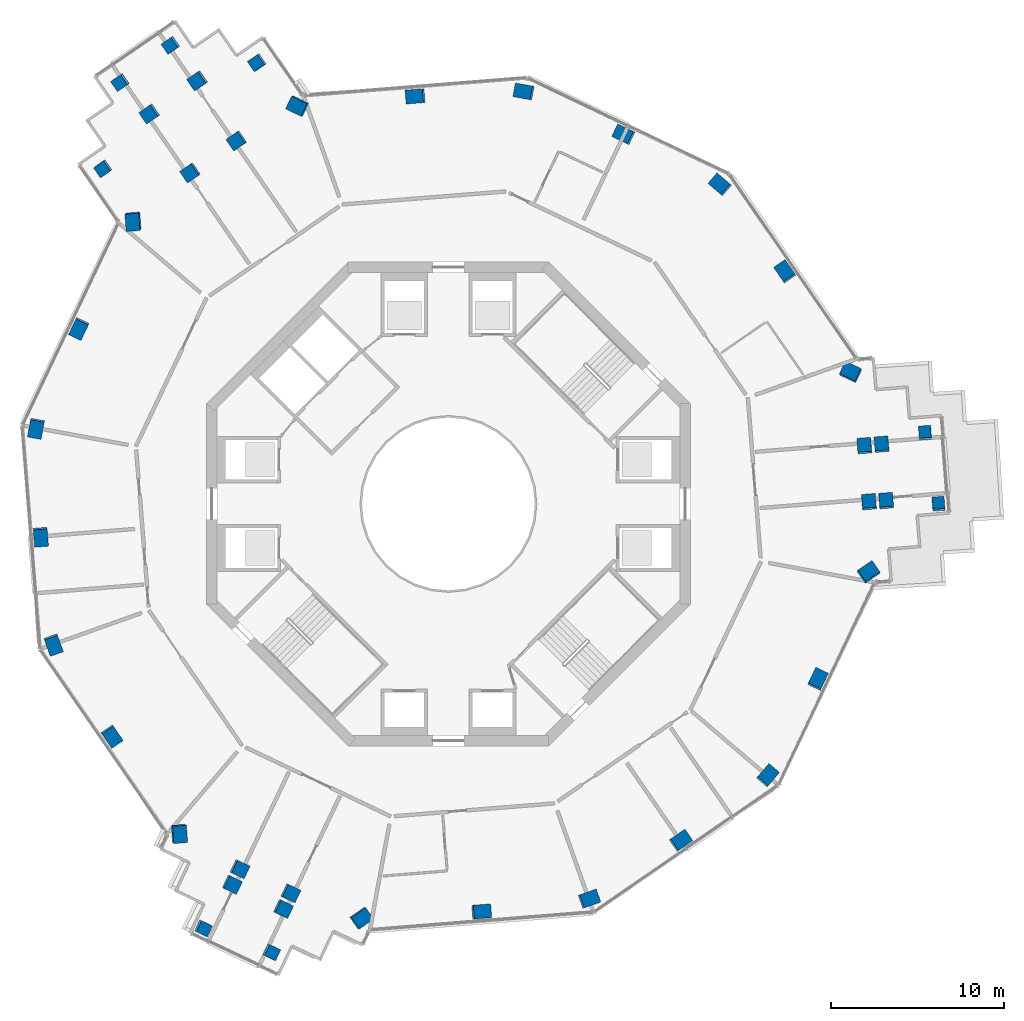
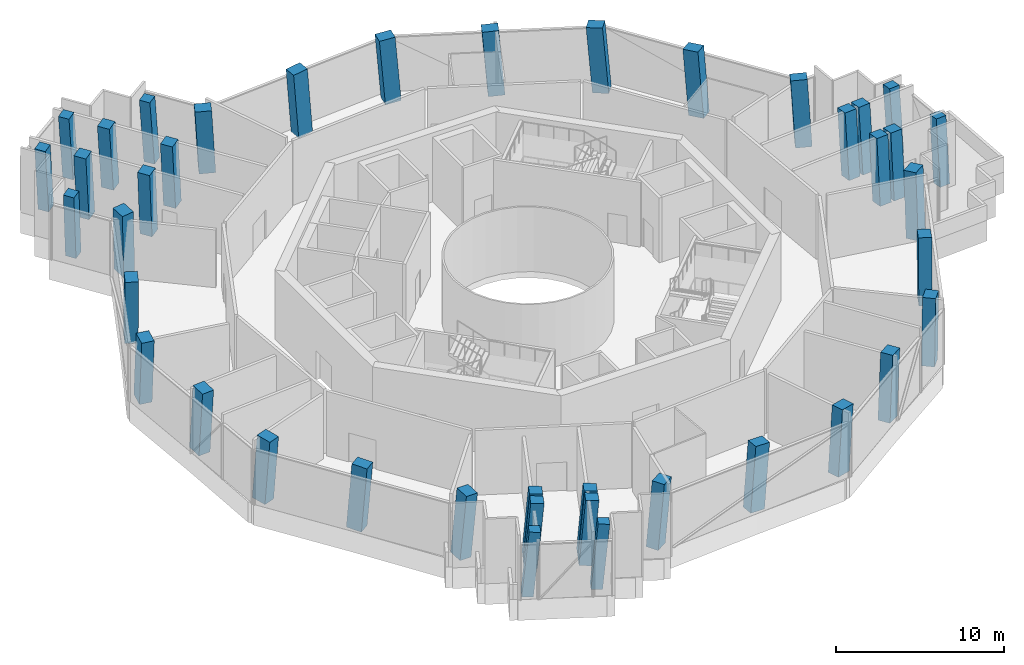
# One storey, part 1 of 21: 41 columns.
"""IFC4 building model written with IfcOpenShell, lengths in metres."""

import ifcopenshell
import ifcopenshell.guid

model = None  # the IFC model being written
_history = None  # IfcOwnerHistory: only IFC2X3 demands one
_inside = {}  # id of a spatial element -> (the spatial element, [elements in it])
_under = {}  # id of a project, library or spatial element -> (it, [spatial elements below it])
_declared = {}  # id of a project -> (the project, [libraries it declares])
_typed = {}  # id of a type object -> (the type object, [elements of that type])
_made_of = {}  # id of a material, layer set ... -> (it, [elements and type objects made of it])


def new_model(schema):
    """Start an empty IFC model of exactly this schema.

    Asked for "IFC4X3", IfcOpenShell would pick the latest addendum, in which some entities
    have other attributes; the version numbers below select the first issue.
    IFC2X3 requires an IfcOwnerHistory on every rooted entity: one is made here for all.
    """
    global model, _history
    if schema == "IFC4X3":
        model = ifcopenshell.file(schema_version=(4, 3, 0, 0))
    else:
        model = ifcopenshell.file(schema=schema)
    _inside.clear()
    _under.clear()
    _declared.clear()
    _typed.clear()
    _made_of.clear()
    _history = None
    if model.schema == "IFC2X3":
        org = make("IfcOrganization", Name="unknown")
        user = make(
            "IfcPersonAndOrganization",
            ThePerson=make("IfcPerson", FamilyName="unknown"),
            TheOrganization=org,
        )
        app = make(
            "IfcApplication",
            ApplicationDeveloper=org,
            Version="unknown",
            ApplicationFullName="unknown",
            ApplicationIdentifier="unknown",
        )
        _history = make(
            "IfcOwnerHistory",
            OwningUser=user,
            OwningApplication=app,
            ChangeAction="ADDED",
            CreationDate=0,
        )
    return model


def make(cls, **values):
    """One entity of the class cls with the attributes given. An attribute that is None is left unset."""
    return model.create_entity(
        cls, **{name: value for name, value in values.items() if value is not None}
    )


def rooted(cls, **values):
    """An entity with a GlobalId (a new one), such as an element, a storey or a relation."""
    return make(cls, GlobalId=ifcopenshell.guid.new(), OwnerHistory=_history, **values)


def si_unit(unit_type, name, prefix=None):
    """IfcSIUnit, for example si_unit("LENGTHUNIT", "METRE", prefix="MILLI")."""
    return make("IfcSIUnit", UnitType=unit_type, Prefix=prefix, Name=name)


def assignment(units):
    """IfcUnitAssignment: the units of a project."""
    return None if units is None else make("IfcUnitAssignment", Units=units)


def point(xyz):
    """IfcCartesianPoint."""
    return None if xyz is None else make("IfcCartesianPoint", Coordinates=xyz)


def direction(xyz):
    """IfcDirection."""
    return None if xyz is None else make("IfcDirection", DirectionRatios=xyz)


def frame(location, z_axis=None, x_axis=None):
    """IfcAxis2Placement3D, a coordinate frame: its origin and axes. An axis left out is left unset."""
    return make(
        "IfcAxis2Placement3D",
        Location=point(location),
        Axis=direction(z_axis),
        RefDirection=direction(x_axis),
    )


def frame_2d(location, x_axis=None):
    """IfcAxis2Placement2D, a coordinate frame in the plane: its origin and x axis."""
    return make(
        "IfcAxis2Placement2D", Location=point(location), RefDirection=direction(x_axis)
    )


def origin():
    """The frame at (0, 0, 0) with its axes left unset."""
    return frame((0.0, 0.0, 0.0))


def origin_2d():
    """The frame at (0, 0) in the plane with its x axis left unset."""
    return frame_2d((0.0, 0.0))


def place(relative_to, where):
    """IfcLocalPlacement: puts the frame where relative to a parent placement (None: the world)."""
    return make(
        "IfcLocalPlacement", PlacementRelTo=relative_to, RelativePlacement=where
    )


def context(
    kind, dimensions, precision=None, world=None, true_north=None, identifier=None
):
    """IfcGeometricRepresentationContext, for example the 3D "Model" context."""
    return make(
        "IfcGeometricRepresentationContext",
        ContextIdentifier=identifier,
        ContextType=kind,
        CoordinateSpaceDimension=dimensions,
        Precision=precision,
        WorldCoordinateSystem=world,
        TrueNorth=true_north,
    )


def subcontext(parent, identifier, kind, view, scale=None):
    """IfcGeometricRepresentationSubContext, for example "Body" below "Model"."""
    return make(
        "IfcGeometricRepresentationSubContext",
        ContextIdentifier=identifier,
        ContextType=kind,
        ParentContext=parent,
        TargetScale=scale,
        TargetView=view,
    )


def project(units=None, contexts=None):
    """IfcProject with its units and contexts."""
    return rooted(
        "IfcProject",
        Name="project",
        RepresentationContexts=contexts,
        UnitsInContext=assignment(units),
    )


def spatial(cls, under=None, at=None, **own):
    """A site, building, storey or space (cls), placed at a placement, below another one or the project."""
    s = rooted(cls, ObjectPlacement=at, **own)
    if under is not None:
        _under.setdefault(under.id(), (under, []))[1].append(s)
    return s


def profile(cls, at=None, kind="AREA", **sizes):
    """A parametric profile (cls). Its sizes go by their IFC names, for example OverallWidth=200.0."""
    return make(cls, ProfileType=kind, Position=at, **sizes)


def rectangle(**sizes):
    """IfcRectangleProfileDef."""
    return profile("IfcRectangleProfileDef", **sizes)


def extrude(swept, where, along, depth):
    """IfcExtrudedAreaSolid: the profile swept, set in the frame where, extruded along a direction by depth."""
    return make(
        "IfcExtrudedAreaSolid",
        SweptArea=swept,
        Position=where,
        ExtrudedDirection=direction(along),
        Depth=depth,
    )


def shape(context_of_items, identifier, shape_type, items):
    """IfcShapeRepresentation: the items that make up one representation, for example the "Body"."""
    return make(
        "IfcShapeRepresentation",
        ContextOfItems=context_of_items,
        RepresentationIdentifier=identifier,
        RepresentationType=shape_type,
        Items=items,
    )


def material(Name=None, Category=None):
    """IfcMaterial."""
    return make("IfcMaterial", Name=Name, Category=Category)


def material_profile(
    of_material, cross_section, Name=None, Category=None, Priority=None
):
    """IfcMaterialProfile: a cross section and its material."""
    return make(
        "IfcMaterialProfile",
        Name=Name,
        Material=of_material,
        Profile=cross_section,
        Priority=Priority,
        Category=Category,
    )


def profile_set(profiles, Name=None, composite=None):
    """IfcMaterialProfileSet."""
    return make(
        "IfcMaterialProfileSet",
        Name=Name,
        MaterialProfiles=profiles,
        CompositeProfile=composite,
    )


def made_of(thing, what):
    """Note that an element or type object is made of a material, layer set ...; save() writes the relation."""
    if what is not None:
        _made_of.setdefault(what.id(), (what, []))[1].append(thing)
    return thing


def type_object(cls, material=None, **own):
    """A type object (cls), such as IfcWallType, which elements share."""
    return made_of(rooted(cls, **own), material)


def element(
    cls,
    number,
    at=None,
    inside=None,
    cuts=None,
    type_object=None,
    material=None,
    context=None,
    identifier="Body",
    shape_type=None,
    held_by="IfcProductDefinitionShape",
    body=None,
    shapes=None,
    **own,
):
    """One element of the class cls, such as IfcWall. Its Tag is "e" and its number.

    at: its placement. inside: the storey or other place that contains it. cuts: it is an
    opening in that element (IfcRelVoidsElement). A single representation is given by context,
    identifier, shape_type and body (its items); several are given by shapes. held_by: the class
    of the entity that holds the representations. save() writes the other relations.
    """
    e = rooted(cls, Tag="e%d" % number, ObjectPlacement=at, **own)
    if body is not None:
        shapes = [shape(context, identifier, shape_type, body)]
    if shapes is not None:
        e.Representation = make(held_by, Representations=shapes)
    if inside is not None:
        _inside.setdefault(inside.id(), (inside, []))[1].append(e)
    if cuts is not None:
        rooted(
            "IfcRelVoidsElement", RelatingBuildingElement=cuts, RelatedOpeningElement=e
        )
    if type_object is not None:
        _typed.setdefault(type_object.id(), (type_object, []))[1].append(e)
    return made_of(e, material)


def aggregate(whole, parts):
    """IfcRelAggregates: a whole, such as a stair, and the parts it consists of."""
    return rooted("IfcRelAggregates", RelatingObject=whole, RelatedObjects=parts)


def save(model, path):
    """Write the relations noted so far, then the file.

    IfcRelAggregates (storeys below a building ...), IfcRelContainedInSpatialStructure (elements
    in a storey), IfcRelDefinesByType, IfcRelAssociatesMaterial and IfcRelDeclares: one each for
    every whole, place, type object, material and project.
    """
    for whole, parts in _under.values():
        aggregate(whole, parts)
    for where, things in _inside.values():
        rooted(
            "IfcRelContainedInSpatialStructure",
            RelatedElements=things,
            RelatingStructure=where,
        )
    for kind, things in _typed.values():
        rooted("IfcRelDefinesByType", RelatedObjects=things, RelatingType=kind)
    for what, things in _made_of.values():
        rooted("IfcRelAssociatesMaterial", RelatedObjects=things, RelatingMaterial=what)
    for by, libraries in _declared.values():
        rooted("IfcRelDeclares", RelatingContext=by, RelatedDefinitions=libraries)
    model.write(path)


model = new_model("IFC4")

# Units and contexts
model_context = context("Model", 3, precision=1e-05, world=origin(), true_north=direction((0.0, 1.0)))
body_context = subcontext(model_context, "Body", "Model", "MODEL_VIEW")
ifc_project = project(units=[si_unit("LENGTHUNIT", "METRE"), si_unit("AREAUNIT", "SQUARE_METRE"), si_unit("VOLUMEUNIT", "CUBIC_METRE"), si_unit("PLANEANGLEUNIT", "RADIAN"), si_unit("MASSUNIT", "GRAM", prefix="KILO")], contexts=[model_context])

# Site, building, storey
site_placement = place(None, origin())
site = spatial("IfcSite", under=ifc_project, at=site_placement, CompositionType="ELEMENT")
building_placement = place(site_placement, origin())
building = spatial("IfcBuilding", under=site, at=building_placement, Name="Verdalira Terraces Hotel", CompositionType="ELEMENT")
storey_placement = place(building_placement, frame((0.0, 0.0, 175.0)))
storey = spatial("IfcBuildingStorey", under=building, at=storey_placement, Name="L42", CompositionType="ELEMENT", Elevation=175.0)

# Columns
ifc_material_1 = material(Name="Concrete C60", Category="concrete")
ifc_material_profile_1 = material_profile(ifc_material_1, rectangle(XDim=1.0, YDim=0.800049, at=origin_2d()), Name="RC 1000X800")
ifc_profile_set_1 = profile_set([ifc_material_profile_1], Name="Concrete C60")
column_type_1 = type_object("IfcColumnType", Name="Column RC 1000X800 C60", PredefinedType="COLUMN", material=ifc_profile_set_1)
column_1_placement = place(storey_placement, frame((-18.216064, 16.361816, 0.0), z_axis=(-0.054164651, -0.061272464, 0.996650328), x_axis=(-0.082257705, 0.994996853, 0.056700377)))
element("IfcColumn", 1, at=column_1_placement, inside=storey, type_object=column_type_1, Name="Column C03", PredefinedType="COLUMN", context=body_context, shape_type="SweptSolid", body=[
    extrude(rectangle(XDim=1.0, YDim=0.800049, at=origin_2d()), origin(), (0.0, 0.0, 1.0), 4.705811),
])
column_2_placement = place(storey_placement, frame((-21.364258, 10.162842, 0.0), z_axis=(-0.033367399, -0.071664662, 0.9968705), x_axis=(-0.428377245, -0.90013564, -0.079049135)))
element("IfcColumn", 2, at=column_2_placement, inside=storey, type_object=column_type_1, Name="Column C04", PredefinedType="COLUMN", context=body_context, shape_type="SweptSolid", body=[
    extrude(rectangle(XDim=1.0, YDim=0.800049, at=origin_2d()), origin(), (0.0, 0.0, 1.0), 4.70459),
])
column_3_placement = place(storey_placement, frame((-23.853271, 4.39502, 0.0), z_axis=(-0.014009031, -0.079747708, 0.996716635), x_axis=(0.180722075, 0.980195922, 0.08096596)))
element("IfcColumn", 3, at=column_3_placement, inside=storey, type_object=column_type_1, Name="Column C05", PredefinedType="COLUMN", context=body_context, shape_type="SweptSolid", body=[
    extrude(rectangle(XDim=1.0, YDim=0.800049, at=origin_2d()), origin(), (0.0, 0.0, 1.0), 4.705322),
])
column_4_placement = place(storey_placement, frame((-23.583496, -1.880859, 0.0), z_axis=(0.006953716, -0.078722297, 0.996872332), x_axis=(0.079340262, -0.993710224, -0.079026028)))
element("IfcColumn", 4, at=column_4_placement, inside=storey, type_object=column_type_1, Name="Column C06", PredefinedType="COLUMN", context=body_context, shape_type="SweptSolid", body=[
    extrude(rectangle(XDim=1.0, YDim=0.800049, at=origin_2d()), origin(), (0.0, 0.0, 1.0), 4.70459),
])
column_5_placement = place(storey_placement, frame((-22.85498, -8.120361, 0.0), z_axis=(0.027706677, -0.076115534, 0.996713984), x_axis=(-0.333017196, 0.93943535, 0.080998586)))
element("IfcColumn", 5, at=column_5_placement, inside=storey, type_object=column_type_1, Name="Column C07", PredefinedType="COLUMN", context=body_context, shape_type="SweptSolid", body=[
    extrude(rectangle(XDim=1.0, YDim=0.800049, at=origin_2d()), origin(), (0.0, 0.0, 1.0), 4.705322),
])
column_6_placement = place(storey_placement, frame((-19.483398, -13.420654, 0.0), z_axis=(0.045354859, -0.064711109, 0.996872815), x_axis=(0.565250312, -0.821126017, -0.079019933)))
element("IfcColumn", 6, at=column_6_placement, inside=storey, type_object=column_type_1, Name="Column C08", PredefinedType="COLUMN", context=body_context, shape_type="SweptSolid", body=[
    extrude(rectangle(XDim=1.0, YDim=0.800049, at=origin_2d()), origin(), (0.0, 0.0, 1.0), 4.70459),
])
for number, where, z_axis, x_axis, name in (
    (7, (-15.599609, -19.058838, 0.0), (0.064071621, -0.051568576, 0.996612015), (-0.075850249, 0.995523512, 0.056388622), "Column C09"),
    (8, (-5.061768, -23.956543, 0.0), (0.080157425, -0.016239012, 0.996649929), (-0.820324342, -0.569080539, 0.056703743), "Column C12"),
):
    element("IfcColumn", number, at=place(storey_placement, frame(where, z_axis=z_axis, x_axis=x_axis)), inside=storey, type_object=column_type_1, Name=name, PredefinedType="COLUMN", context=body_context, shape_type="SweptSolid", body=[
        extrude(rectangle(XDim=1.0, YDim=0.800049, at=origin_2d()), origin(), (0.0, 0.0, 1.0), 4.705811),
    ])
column_7_placement = place(storey_placement, frame((1.880859, -23.583496, 0.0), z_axis=(0.078722297, 0.006953716, 0.996872332), x_axis=(0.993710224, 0.079340262, -0.079026028)))
element("IfcColumn", 9, at=column_7_placement, inside=storey, type_object=column_type_1, Name="Column C13", PredefinedType="COLUMN", context=body_context, shape_type="SweptSolid", body=[
    extrude(rectangle(XDim=1.0, YDim=0.800049, at=origin_2d()), origin(), (0.0, 0.0, 1.0), 4.70459),
])
column_8_placement = place(storey_placement, frame((8.120361, -22.85498, 0.0), z_axis=(0.076115534, 0.027706677, 0.996713984), x_axis=(-0.93943535, -0.333017196, 0.080998586)))
element("IfcColumn", 10, at=column_8_placement, inside=storey, type_object=column_type_1, Name="Column C14", PredefinedType="COLUMN", context=body_context, shape_type="SweptSolid", body=[
    extrude(rectangle(XDim=1.0, YDim=0.800049, at=origin_2d()), origin(), (0.0, 0.0, 1.0), 4.705322),
])
column_9_placement = place(storey_placement, frame((13.420654, -19.483398, 0.0), z_axis=(0.064711109, 0.045354859, 0.996872815), x_axis=(0.821126017, 0.565250312, -0.079019933)))
element("IfcColumn", 11, at=column_9_placement, inside=storey, type_object=column_type_1, Name="Column C15", PredefinedType="COLUMN", context=body_context, shape_type="SweptSolid", body=[
    extrude(rectangle(XDim=1.0, YDim=0.800049, at=origin_2d()), origin(), (0.0, 0.0, 1.0), 4.70459),
])
column_10_placement = place(storey_placement, frame((18.459961, -15.73291, 0.0), z_axis=(0.052040708, 0.062106409, 0.996711873), x_axis=(-0.646568718, -0.758540649, 0.081024549)))
element("IfcColumn", 12, at=column_10_placement, inside=storey, type_object=column_type_1, Name="Column C16", PredefinedType="COLUMN", context=body_context, shape_type="SweptSolid", body=[
    extrude(rectangle(XDim=1.0, YDim=0.800049, at=origin_2d()), origin(), (0.0, 0.0, 1.0), 4.705322),
])
column_11_placement = place(storey_placement, frame((21.364258, -10.162842, 0.0), z_axis=(0.033367399, 0.071664662, 0.9968705), x_axis=(0.428377245, 0.90013564, -0.079049135)))
element("IfcColumn", 13, at=column_11_placement, inside=storey, type_object=column_type_1, Name="Column C17", PredefinedType="COLUMN", context=body_context, shape_type="SweptSolid", body=[
    extrude(rectangle(XDim=1.0, YDim=0.800049, at=origin_2d()), origin(), (0.0, 0.0, 1.0), 4.70459),
])
for number, where, z_axis, x_axis, name in (
    (14, (24.30542, -3.980225, 0.0), (0.012554964, 0.081244109, 0.996615155), (-0.823786098, -0.564091951, 0.056362532), "Column C18"),
    (15, (23.277832, 7.594727, 0.0), (-0.025992865, 0.077511656, 0.996652554), (0.902933505, -0.426026157, 0.05668156), "Column C21"),
):
    element("IfcColumn", number, at=place(storey_placement, frame(where, z_axis=z_axis, x_axis=x_axis)), inside=storey, type_object=column_type_1, Name=name, PredefinedType="COLUMN", context=body_context, shape_type="SweptSolid", body=[
        extrude(rectangle(XDim=1.0, YDim=0.800049, at=origin_2d()), origin(), (0.0, 0.0, 1.0), 4.705811),
    ])
column_12_placement = place(storey_placement, frame((19.483398, 13.420654, 0.0), z_axis=(-0.045354859, 0.064711109, 0.996872815), x_axis=(-0.565250312, 0.821126017, -0.079019933)))
element("IfcColumn", 16, at=column_12_placement, inside=storey, type_object=column_type_1, Name="Column C22", PredefinedType="COLUMN", context=body_context, shape_type="SweptSolid", body=[
    extrude(rectangle(XDim=1.0, YDim=0.800049, at=origin_2d()), origin(), (0.0, 0.0, 1.0), 4.70459),
])
column_13_placement = place(storey_placement, frame((15.73291, 18.459961, 0.0), z_axis=(-0.062106409, 0.052040708, 0.996711873), x_axis=(0.758540649, -0.646568718, 0.081024549)))
element("IfcColumn", 17, at=column_13_placement, inside=storey, type_object=column_type_1, Name="Column C23", PredefinedType="COLUMN", context=body_context, shape_type="SweptSolid", body=[
    extrude(rectangle(XDim=1.0, YDim=0.800049, at=origin_2d()), origin(), (0.0, 0.0, 1.0), 4.705322),
])
column_14_placement = place(storey_placement, frame((10.162842, 21.364258, 0.0), z_axis=(-0.071664662, 0.033367399, 0.9968705), x_axis=(-0.90013564, 0.428377245, -0.079049135)))
element("IfcColumn", 18, at=column_14_placement, inside=storey, type_object=column_type_1, Name="Column C24", PredefinedType="COLUMN", context=body_context, shape_type="SweptSolid", body=[
    extrude(rectangle(XDim=1.0, YDim=0.800049, at=origin_2d()), origin(), (0.0, 0.0, 1.0), 4.70459),
])
column_15_placement = place(storey_placement, frame((4.39502, 23.853271, 0.0), z_axis=(-0.079747708, 0.014009031, 0.996716635), x_axis=(0.980195922, -0.180722075, 0.08096596)))
element("IfcColumn", 19, at=column_15_placement, inside=storey, type_object=column_type_1, Name="Column C25", PredefinedType="COLUMN", context=body_context, shape_type="SweptSolid", body=[
    extrude(rectangle(XDim=1.0, YDim=0.800049, at=origin_2d()), origin(), (0.0, 0.0, 1.0), 4.705322),
])
column_16_placement = place(storey_placement, frame((-1.880859, 23.583496, 0.0), z_axis=(-0.078722297, -0.006953716, 0.996872332), x_axis=(-0.993710224, -0.079340262, -0.079026028)))
element("IfcColumn", 20, at=column_16_placement, inside=storey, type_object=column_type_1, Name="Column C26", PredefinedType="COLUMN", context=body_context, shape_type="SweptSolid", body=[
    extrude(rectangle(XDim=1.0, YDim=0.800049, at=origin_2d()), origin(), (0.0, 0.0, 1.0), 4.70459),
])
column_17_placement = place(storey_placement, frame((-8.705566, 23.039062, 0.0), z_axis=(-0.076730165, -0.029675223, 0.996610186), x_axis=(0.899868949, -0.432497958, 0.056403818)))
element("IfcColumn", 21, at=column_17_placement, inside=storey, type_object=column_type_1, Name="Column C27", PredefinedType="COLUMN", context=body_context, shape_type="SweptSolid", body=[
    extrude(rectangle(XDim=1.0, YDim=0.800049, at=origin_2d()), origin(), (0.0, 0.0, 1.0), 4.705811),
])
ifc_material_2 = material(Name="Concrete C60", Category="concrete")
ifc_material_profile_2 = material_profile(ifc_material_2, rectangle(XDim=0.699951, YDim=0.699951, at=origin_2d()), Name="RC 700X700")
ifc_profile_set_2 = profile_set([ifc_material_profile_2], Name="Concrete C60")
column_type_2 = type_object("IfcColumnType", Name="Column RC 700X700 C60", PredefinedType="COLUMN", material=ifc_profile_set_2)
column_18_placement = place(storey_placement, frame((-11.039307, 25.545654, 0.0), z_axis=(-0.0876898, -0.033635154, 0.995579819), x_axis=(-0.565590663, 0.824393559, -0.021965017)))
element("IfcColumn", 22, at=column_18_placement, inside=storey, type_object=column_type_2, Name="Column C01", PredefinedType="COLUMN", context=body_context, shape_type="SweptSolid", body=[
    extrude(rectangle(XDim=0.699951, YDim=0.699951, at=origin_2d()), origin(), (0.0, 0.0, 1.0), 4.710693),
])
column_19_placement = place(storey_placement, frame((-19.961182, 19.424316, 0.0), z_axis=(-0.067073924, -0.063238166, 0.995741946), x_axis=(0.568155332, -0.822802513, -0.013983658)))
element("IfcColumn", 23, at=column_19_placement, inside=storey, type_object=column_type_2, Name="Column C02", PredefinedType="COLUMN", context=body_context, shape_type="SweptSolid", body=[
    extrude(rectangle(XDim=0.699951, YDim=0.699951, at=origin_2d()), origin(), (0.0, 0.0, 1.0), 4.709961),
])
column_20_placement = place(storey_placement, frame((-14.21582, -24.530273, 0.0), z_axis=(0.082242744, -0.046744143, 0.995515503), x_axis=(0.899292579, -0.427050101, -0.094345472)))
element("IfcColumn", 24, at=column_20_placement, inside=storey, type_object=column_type_2, Name="Column C10", PredefinedType="COLUMN", context=body_context, shape_type="SweptSolid", body=[
    extrude(rectangle(XDim=0.699951, YDim=0.699951, at=origin_2d()), origin(), (0.0, 0.0, 1.0), 4.711182),
])
column_21_placement = place(storey_placement, frame((-10.270264, -25.919922, 0.0), z_axis=(0.086764292, -0.033534347, 0.995664303), x_axis=(0.898887589, -0.428249568, -0.09275457)))
element("IfcColumn", 25, at=column_21_placement, inside=storey, type_object=column_type_2, Name="Column C11", PredefinedType="COLUMN", context=body_context, shape_type="SweptSolid", body=[
    extrude(rectangle(XDim=0.699951, YDim=0.699951, at=origin_2d()), origin(), (0.0, 0.0, 1.0), 4.710449),
])
column_22_placement = place(storey_placement, frame((28.351807, -0.046143, 0.0), z_axis=(-0.000673697, 0.094576739, 0.995517346), x_axis=(-0.080167556, 0.992308292, -0.094326122)))
element("IfcColumn", 26, at=column_22_placement, inside=storey, type_object=column_type_2, Name="Column C19", PredefinedType="COLUMN", context=body_context, shape_type="SweptSolid", body=[
    extrude(rectangle(XDim=0.699951, YDim=0.699951, at=origin_2d()), origin(), (0.0, 0.0, 1.0), 4.710938),
])
column_23_placement = place(storey_placement, frame((27.58252, 4.065918, 0.0), z_axis=(-0.014357066, 0.091895591, 0.995665142), x_axis=(-0.078762263, 0.992569774, -0.09274562)))
element("IfcColumn", 27, at=column_23_placement, inside=storey, type_object=column_type_2, Name="Column C20", PredefinedType="COLUMN", context=body_context, shape_type="SweptSolid", body=[
    extrude(rectangle(XDim=0.699951, YDim=0.699951, at=origin_2d()), origin(), (0.0, 0.0, 1.0), 4.710449),
])
column_24_placement = place(storey_placement, frame((-16.02832, 26.565674, 0.0), z_axis=(-0.090864735, -0.050273309, 0.994593482), x_axis=(-0.818368996, -0.565325528, -0.103340379)))
element("IfcColumn", 28, at=column_24_placement, inside=storey, type_object=column_type_2, Name="Column C28", PredefinedType="COLUMN", context=body_context, shape_type="SweptSolid", body=[
    extrude(rectangle(XDim=0.699951, YDim=0.699951, at=origin_2d()), origin(), (0.0, 0.0, 1.0), 4.715332),
])
column_25_placement = place(storey_placement, frame((-18.955322, 24.415771, 0.0), z_axis=(-0.083624784, -0.05990952, 0.9946948), x_axis=(-0.81940439, -0.56391305, -0.102851925)))
element("IfcColumn", 29, at=column_25_placement, inside=storey, type_object=column_type_2, Name="Column C29", PredefinedType="COLUMN", context=body_context, shape_type="SweptSolid", body=[
    extrude(rectangle(XDim=0.699951, YDim=0.699951, at=origin_2d()), origin(), (0.0, 0.0, 1.0), 4.714844),
])
ifc_material_3 = material(Name="Concrete C60", Category="concrete")
ifc_material_profile_3 = material_profile(ifc_material_3, rectangle(XDim=0.800049, YDim=0.800049, at=origin_2d()), Name="RC 800X800")
ifc_profile_set_3 = profile_set([ifc_material_profile_3], Name="Concrete C60")
column_type_3 = type_object("IfcColumnType", Name="Column RC 800X800 C60", PredefinedType="COLUMN", material=ifc_profile_set_3)
for number, where, z_axis, x_axis, name in (
    (30, (-12.232178, 21.030518, 0.0), (-0.069888001, -0.041403582, 0.996695245), (-0.566601569, 0.823973541, -0.005501376), "Column C30"),
    (31, (-14.913818, 19.18335, 0.0), (-0.063662142, -0.050379739, 0.996699059), (-0.567814535, 0.823139204, 0.005338872), "Column C31"),
):
    element("IfcColumn", number, at=place(storey_placement, frame(where, z_axis=z_axis, x_axis=x_axis)), inside=storey, type_object=column_type_3, Name=name, PredefinedType="COLUMN", context=body_context, shape_type="SweptSolid", body=[
        extrude(rectangle(XDim=0.800049, YDim=0.800049, at=origin_2d()), origin(), (0.0, 0.0, 1.0), 4.705566),
    ])
column_26_placement = place(storey_placement, frame((-14.487305, 24.506348, 0.0), z_axis=(-0.084153169, -0.045082055, 0.995432495), x_axis=(-0.566230431, 0.824179564, -0.01054253)))
element("IfcColumn", 32, at=column_26_placement, inside=storey, type_object=column_type_3, Name="Column C32", PredefinedType="COLUMN", context=body_context, shape_type="SweptSolid", body=[
    extrude(rectangle(XDim=0.800049, YDim=0.800049, at=origin_2d()), origin(), (0.0, 0.0, 1.0), 4.711426),
])
column_27_placement = place(storey_placement, frame((-17.263428, 22.593994, 0.0), z_axis=(-0.077681188, -0.054257641, 0.995500749), x_axis=(-0.566986368, 0.823726916, 0.000652239)))
element("IfcColumn", 33, at=column_27_placement, inside=storey, type_object=column_type_3, Name="Column C33", PredefinedType="COLUMN", context=body_context, shape_type="SweptSolid", body=[
    extrude(rectangle(XDim=0.800049, YDim=0.800049, at=origin_2d()), origin(), (0.0, 0.0, 1.0), 4.711182),
])
for number, where, z_axis, x_axis, name in (
    (34, (-12.096924, -21.108643, 0.0), (0.070821887, -0.039795156, 0.996694841), (-0.429895406, -0.902861933, -0.005501711), "Column C34"),
    (35, (-9.15625, -22.507568, 0.0), (0.075388443, -0.029937461, 0.996704736), (-0.429192369, -0.903197351, 0.005334286), "Column C35"),
):
    element("IfcColumn", number, at=place(storey_placement, frame(where, z_axis=z_axis, x_axis=x_axis)), inside=storey, type_object=column_type_3, Name=name, PredefinedType="COLUMN", context=body_context, shape_type="SweptSolid", body=[
        extrude(rectangle(XDim=0.800049, YDim=0.800049, at=origin_2d()), origin(), (0.0, 0.0, 1.0), 4.705566),
    ])
for number, where, z_axis, x_axis, name in (
    (36, (-12.541748, -22.004395, 0.0), (0.073862191, -0.041288135, 0.996413402), (-0.430035081, -0.902795234, -0.005531236), "Column C36"),
    (37, (-9.585938, -23.410645, 0.0), (0.078427809, -0.031329627, 0.996427385), (-0.428957397, -0.903308813, 0.005361013), "Column C37"),
):
    element("IfcColumn", number, at=place(storey_placement, frame(where, z_axis=z_axis, x_axis=x_axis)), inside=storey, type_object=column_type_3, Name=name, PredefinedType="COLUMN", context=body_context, shape_type="SweptSolid", body=[
        extrude(rectangle(XDim=0.800049, YDim=0.800049, at=origin_2d()), origin(), (0.0, 0.0, 1.0), 4.706787),
    ])
for number, where, z_axis, x_axis, name in (
    (38, (24.329102, 0.078125, 0.0), (-0.000933914, 0.081250477, 0.996693277), (0.996862343, 0.078963193, -0.005503011), "Column C38"),
    (39, (24.070312, 3.324219, 0.0), (-0.011777813, 0.080265538, 0.996703931), (0.996779302, 0.08001601, 0.005334937), "Column C39"),
):
    element("IfcColumn", number, at=place(storey_placement, frame(where, z_axis=z_axis, x_axis=x_axis)), inside=storey, type_object=column_type_3, Name=name, PredefinedType="COLUMN", context=body_context, shape_type="SweptSolid", body=[
        extrude(rectangle(XDim=0.800049, YDim=0.800049, at=origin_2d()), origin(), (0.0, 0.0, 1.0), 4.705566),
    ])
for number, where, z_axis, x_axis, name in (
    (40, (25.327393, 0.140869, 0.0), (-0.001193005, 0.084547762, 0.996418714), (0.99684304, 0.079204827, -0.005527146), "Column C40"),
    (41, (25.067139, 3.403809, 0.0), (-0.012085789, 0.083563115, 0.996429194), (0.996760191, 0.08025208, 0.005359658), "Column C41"),
):
    element("IfcColumn", number, at=place(storey_placement, frame(where, z_axis=z_axis, x_axis=x_axis)), inside=storey, type_object=column_type_3, Name=name, PredefinedType="COLUMN", context=body_context, shape_type="SweptSolid", body=[
        extrude(rectangle(XDim=0.800049, YDim=0.800049, at=origin_2d()), origin(), (0.0, 0.0, 1.0), 4.706787),
    ])

save(model, "model.ifc")
